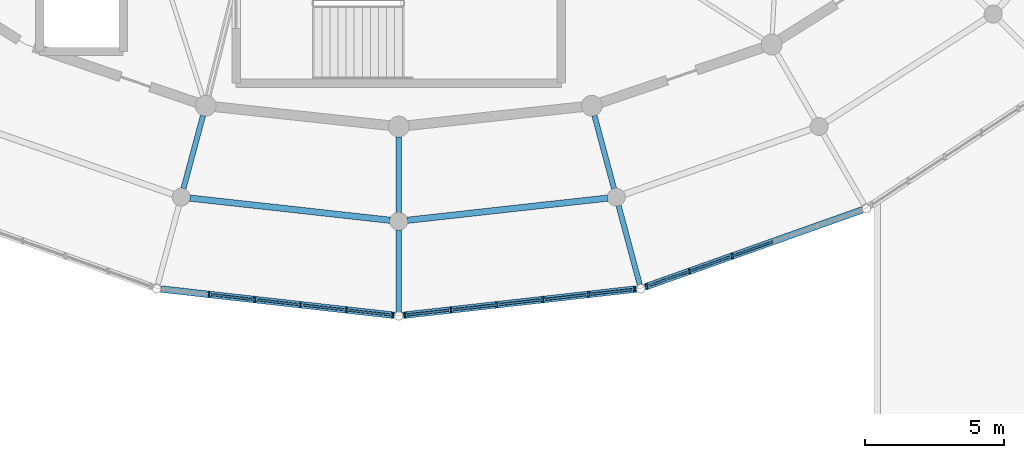
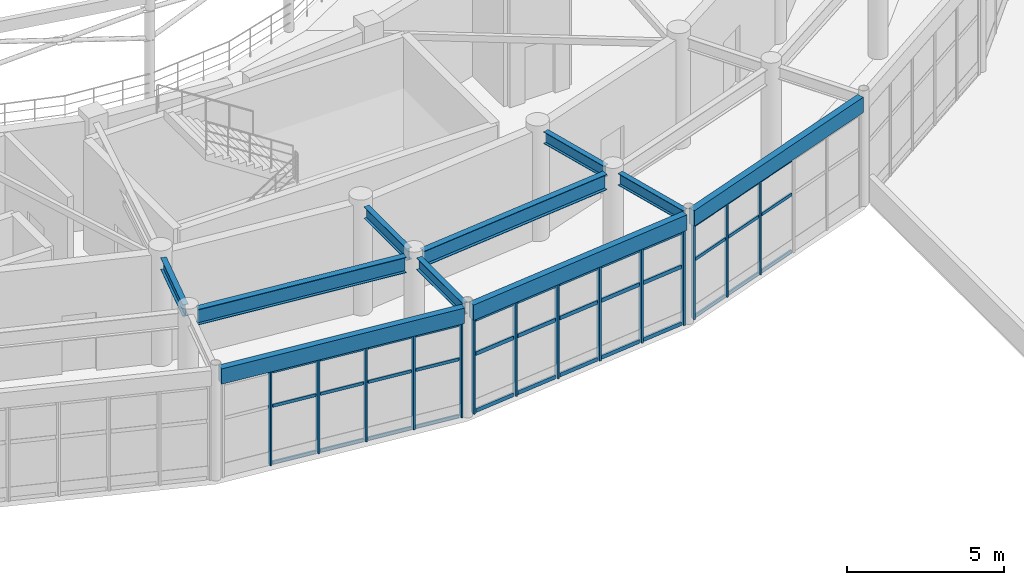
# One storey, part 41 of 112: 50 members, 10 beams, 3 elements without a shape of their own.
"""IFC4 building model written with IfcOpenShell, lengths in metres."""

from ifc_helpers import new_model, si_unit, direction, frame, origin, origin_2d, place, context, subcontext, project, spatial, rectangle, i_section, extrude, material, material_profile, profile_set, type_object, element, aggregate, save


model = new_model("IFC4")

# Units and contexts
model_context = context("Model", 3, precision=1e-05, world=origin(), true_north=direction((0.0, 1.0)))
body_context = subcontext(model_context, "Body", "Model", "MODEL_VIEW")
ifc_project = project(units=[si_unit("LENGTHUNIT", "METRE"), si_unit("AREAUNIT", "SQUARE_METRE"), si_unit("VOLUMEUNIT", "CUBIC_METRE"), si_unit("PLANEANGLEUNIT", "RADIAN"), si_unit("MASSUNIT", "GRAM", prefix="KILO")], contexts=[model_context])

# Site, building, storey
site_placement = place(None, origin())
site = spatial("IfcSite", under=ifc_project, at=site_placement, CompositionType="ELEMENT")
building_placement = place(site_placement, origin())
building = spatial("IfcBuilding", under=site, at=building_placement, Name="Cinderbank Siding Concert Hall", CompositionType="ELEMENT")
storey_placement = place(building_placement, frame((0.0, 0.0, 10.199951171875)))
storey = spatial("IfcBuildingStorey", under=building, at=storey_placement, Name="L03", CompositionType="ELEMENT", Elevation=10.199951171875)

# Beams
ifc_material_1 = material(Name="Structural steel AS/NZS 3679.1 Grade 350 (340 MPa)", Category="steel")
ifc_material_profile_1 = material_profile(ifc_material_1, i_section(OverallWidth=0.19091796875, OverallDepth=0.46044921875, WebThickness=0.010009765625, FlangeThickness=0.01611328125, at=origin_2d()), Name="460UB82.1", Category="LoadBearing")
ifc_profile_set_1 = profile_set([ifc_material_profile_1], Name="Structural steel AS/NZS 3679.1 Grade 350 (340 MPa)")
beam_type_1 = type_object("IfcBeamType", Name="BM-UB460H 460UB82.1", PredefinedType="BEAM", material=ifc_profile_set_1)
beam_1_placement = place(storey_placement, frame((114.968505859375, 22.39501953125, 4.011962890625), z_axis=(-0.258809477387, -0.9659283899, 0.0), x_axis=(0.9659283899, -0.258809477387, 0.0)))
element("IfcBeam", 1, at=beam_1_placement, inside=storey, type_object=beam_type_1, Name="L03 Beam BM-UB460H #620", PredefinedType="BEAM", context=body_context, shape_type="SweptSolid", body=[
    extrude(i_section(OverallWidth=0.19091796875, OverallDepth=0.46044921875, WebThickness=0.010009765625, FlangeThickness=0.01611328125, at=origin_2d()), origin(), (0.0, 0.0, 1.0), 2.7158203125),
])
beam_2_placement = place(storey_placement, frame((122.0, 21.633056640625, 4.011962890625), z_axis=(0.0, -1.0, 0.0), x_axis=(1.0, 0.0, 0.0)))
element("IfcBeam", 2, at=beam_2_placement, inside=storey, type_object=beam_type_1, Name="L03 Beam BM-UB460H #621", PredefinedType="BEAM", context=body_context, shape_type="SweptSolid", body=[
    extrude(i_section(OverallWidth=0.19091796875, OverallDepth=0.46044921875, WebThickness=0.010009765625, FlangeThickness=0.01611328125, at=origin_2d()), origin(), (0.0, 0.0, 1.0), 2.716064453125),
])
beam_3_placement = place(storey_placement, frame((129.031494140625, 22.39501953125, 4.011962890625), z_axis=(0.258809477387, -0.9659283899, 0.0), x_axis=(0.9659283899, 0.258809477387, 0.0)))
element("IfcBeam", 3, at=beam_3_placement, inside=storey, type_object=beam_type_1, Name="L03 Beam BM-UB460H #622", PredefinedType="BEAM", context=body_context, shape_type="SweptSolid", body=[
    extrude(i_section(OverallWidth=0.19091796875, OverallDepth=0.46044921875, WebThickness=0.010009765625, FlangeThickness=0.01611328125, at=origin_2d()), origin(), (0.0, 0.0, 1.0), 2.7158203125),
])
for number, where, z_axis, x_axis, name in (
    (4, (122.0, 18.282958984375, 4.0517578125), (0.0, -1.0, 0.0), (1.0, 0.0, 0.0), "L03 Beam BM-UB460H #646"),
    (5, (129.898193359375, 19.1591796875, 4.0517578125), (0.258897184534, -0.965904885504, 0.0), (0.965904885504, 0.258897184534, 0.0), "L03 Beam BM-UB460H #647"),
):
    element("IfcBeam", number, at=place(storey_placement, frame(where, z_axis=z_axis, x_axis=x_axis)), inside=storey, type_object=beam_type_1, Name=name, PredefinedType="BEAM", context=body_context, shape_type="SweptSolid", body=[
        extrude(i_section(OverallWidth=0.19091796875, OverallDepth=0.46044921875, WebThickness=0.010009765625, FlangeThickness=0.01611328125, at=origin_2d()), origin(), (0.0, 0.0, 1.0), 2.928955078125),
    ])
ifc_material_profile_2 = material_profile(ifc_material_1, i_section(OverallWidth=0.22802734375, OverallDepth=0.60693359375, WebThickness=0.01123046875, FlangeThickness=0.017333984375, at=origin_2d()), Name="610UB113", Category="LoadBearing")
ifc_profile_set_2 = profile_set([ifc_material_profile_2], Name="Structural steel AS/NZS 3679.1 Grade 350 (340 MPa)")
beam_type_2 = type_object("IfcBeamType", Name="BM-UB610M 610UB113", PredefinedType="BEAM", material=ifc_profile_set_2)
for number, where, z_axis, x_axis, name in (
    (6, (114.498779296875, 19.4306640625, 3.9384765625), (0.993926077211, -0.110049775281, 0.0), (0.110049775281, 0.993926077211, 0.0), "L03 Beam BM-UB610M #562"),
    (7, (122.315185546875, 18.635009765625, 3.9384765625), (0.993926077211, 0.110049775281, 0.0), (-0.110049775281, 0.993926077211, 0.0), "L03 Beam BM-UB610M #563"),
):
    element("IfcBeam", number, at=place(storey_placement, frame(where, z_axis=z_axis, x_axis=x_axis)), inside=storey, type_object=beam_type_2, Name=name, PredefinedType="BEAM", context=body_context, shape_type="SweptSolid", body=[
        extrude(i_section(OverallWidth=0.22802734375, OverallDepth=0.60693359375, WebThickness=0.01123046875, FlangeThickness=0.017333984375, at=origin_2d()), origin(), (0.0, 0.0, 1.0), 7.22998046875),
    ])

# Curtain wall, members
ifc_material_2 = material(Name="Anodised aluminium alloy 6063-T6", Category="aluminium")
curtain_wall_type_1 = type_object("IfcCurtainWallType", Name="CW-06 Unitised Acoustic Curtain Wall 7600x3800", PredefinedType="NOTDEFINED", material=ifc_material_2)
curtain_wall_1_placement = place(storey_placement, origin())
curtain_wall_1 = element("IfcCurtainWall", 8, at=curtain_wall_1_placement, inside=storey, type_object=curtain_wall_type_1, Name="L03 Curtain Wall CW-06 #42", PredefinedType="NOTDEFINED")
ifc_material_profile_3 = material_profile(ifc_material_2, rectangle(XDim=0.06005859375, YDim=0.159912109375, at=origin_2d()), Name="ALU-MULL-60x160", Category="LoadBearing")
ifc_profile_set_3 = profile_set([ifc_material_profile_3], Name="Anodised aluminium alloy 6063-T6")
member_type_1 = type_object("IfcMemberType", Name="CW-ML1 Mullion 60x160", PredefinedType="MULLION", material=ifc_profile_set_3)
member_1_placement = place(storey_placement, frame((115.17822265625, 15.9697265625, 0.0), z_axis=(0.0, 0.0, 1.0), x_axis=(1.0, 0.0, 0.0)))
member_1 = element("IfcMember", 9, at=member_1_placement, type_object=member_type_1, Name="CW-L03-042 Mullion 1", PredefinedType="MULLION", context=body_context, shape_type="SweptSolid", body=[
    extrude(rectangle(XDim=0.06005859375, YDim=0.159912109375, at=origin_2d()), origin(), (0.0, 0.0, 1.0), 3.6669921875),
])
member_2_placement = place(storey_placement, frame((116.827392578125, 15.78369140625, 0.0), z_axis=(0.0, 0.0, 1.0), x_axis=(1.0, 0.0, 0.0)))
member_2 = element("IfcMember", 10, at=member_2_placement, type_object=member_type_1, Name="CW-L03-042 Mullion 2", PredefinedType="MULLION", context=body_context, shape_type="SweptSolid", body=[
    extrude(rectangle(XDim=0.06005859375, YDim=0.159912109375, at=origin_2d()), origin(), (0.0, 0.0, 1.0), 3.6669921875),
])
member_3_placement = place(storey_placement, frame((118.476318359375, 15.59765625, 0.0), z_axis=(0.0, 0.0, 1.0), x_axis=(1.0, 0.0, 0.0)))
member_3 = element("IfcMember", 11, at=member_3_placement, type_object=member_type_1, Name="CW-L03-042 Mullion 3", PredefinedType="MULLION", context=body_context, shape_type="SweptSolid", body=[
    extrude(rectangle(XDim=0.06005859375, YDim=0.159912109375, at=origin_2d()), origin(), (0.0, 0.0, 1.0), 3.6669921875),
])
member_4_placement = place(storey_placement, frame((120.12548828125, 15.41162109375, 0.0), z_axis=(0.0, 0.0, 1.0), x_axis=(1.0, 0.0, 0.0)))
member_4 = element("IfcMember", 12, at=member_4_placement, type_object=member_type_1, Name="CW-L03-042 Mullion 4", PredefinedType="MULLION", context=body_context, shape_type="SweptSolid", body=[
    extrude(rectangle(XDim=0.06005859375, YDim=0.159912109375, at=origin_2d()), origin(), (0.0, 0.0, 1.0), 3.6669921875),
])
member_5_placement = place(storey_placement, frame((121.7744140625, 15.225341796875, 0.0), z_axis=(0.0, 0.0, 1.0), x_axis=(1.0, 0.0, 0.0)))
member_5 = element("IfcMember", 13, at=member_5_placement, type_object=member_type_1, Name="CW-L03-042 Mullion 5", PredefinedType="MULLION", context=body_context, shape_type="SweptSolid", body=[
    extrude(rectangle(XDim=0.06005859375, YDim=0.159912109375, at=origin_2d()), origin(), (0.0, 0.0, 1.0), 3.6669921875),
])

curtain_wall_type_2 = type_object("IfcCurtainWallType", Name="CW-08 Unitised Acoustic Curtain Wall 6400x3800", PredefinedType="NOTDEFINED", material=ifc_material_2)
curtain_wall_2_placement = place(storey_placement, origin())
curtain_wall_2 = element("IfcCurtainWall", 14, at=curtain_wall_2_placement, inside=storey, type_object=curtain_wall_type_2, Name="L03 Curtain Wall CW-08 #44", PredefinedType="NOTDEFINED")
member_6_placement = place(storey_placement, frame((130.91015625, 16.257080078125, 0.0), z_axis=(0.0, 0.0, 1.0), x_axis=(1.0, 0.0, 0.0)))
member_6 = element("IfcMember", 15, at=member_6_placement, type_object=member_type_1, Name="CW-L03-044 Mullion 0", PredefinedType="MULLION", context=body_context, shape_type="SweptSolid", body=[
    extrude(rectangle(XDim=0.06005859375, YDim=0.159912109375, at=origin_2d()), origin(), (0.0, 0.0, 1.0), 3.6669921875),
])
member_7_placement = place(storey_placement, frame((132.4453125, 16.80224609375, 0.0), z_axis=(0.0, 0.0, 1.0), x_axis=(1.0, 0.0, 0.0)))
member_7 = element("IfcMember", 16, at=member_7_placement, type_object=member_type_1, Name="CW-L03-044 Mullion 1", PredefinedType="MULLION", context=body_context, shape_type="SweptSolid", body=[
    extrude(rectangle(XDim=0.06005859375, YDim=0.159912109375, at=origin_2d()), origin(), (0.0, 0.0, 1.0), 3.6669921875),
])
member_8_placement = place(storey_placement, frame((133.980712890625, 17.347412109375, 0.0), z_axis=(0.0, 0.0, 1.0), x_axis=(1.0, 0.0, 0.0)))
member_8 = element("IfcMember", 17, at=member_8_placement, type_object=member_type_1, Name="CW-L03-044 Mullion 2", PredefinedType="MULLION", context=body_context, shape_type="SweptSolid", body=[
    extrude(rectangle(XDim=0.06005859375, YDim=0.159912109375, at=origin_2d()), origin(), (0.0, 0.0, 1.0), 3.6669921875),
])

curtain_wall_type_3 = type_object("IfcCurtainWallType", Name="CW-07 Unitised Acoustic Curtain Wall 7000x3800", PredefinedType="NOTDEFINED", material=ifc_material_2)
curtain_wall_3_placement = place(storey_placement, origin())
curtain_wall_3 = element("IfcCurtainWall", 18, at=curtain_wall_3_placement, inside=storey, type_object=curtain_wall_type_3, Name="L03 Curtain Wall CW-07 #43", PredefinedType="NOTDEFINED")
ifc_material_profile_4 = material_profile(ifc_material_2, rectangle(XDim=0.06494140625, YDim=0.199951171875, at=origin_2d()), Name="ALU-MULL-65x200", Category="LoadBearing")
ifc_profile_set_4 = profile_set([ifc_material_profile_4], Name="Anodised aluminium alloy 6063-T6")
member_type_2 = type_object("IfcMemberType", Name="CW-ML2 Mullion 65x200", PredefinedType="MULLION", material=ifc_profile_set_4)
member_9_placement = place(storey_placement, frame((122.2255859375, 15.225341796875, 0.0), z_axis=(0.0, 0.0, 1.0), x_axis=(1.0, 0.0, 0.0)))
member_9 = element("IfcMember", 19, at=member_9_placement, type_object=member_type_2, Name="CW-L03-043 Mullion 0", PredefinedType="MULLION", context=body_context, shape_type="SweptSolid", body=[
    extrude(rectangle(XDim=0.06494140625, YDim=0.199951171875, at=origin_2d()), origin(), (0.0, 0.0, 1.0), 3.6669921875),
])
member_10_placement = place(storey_placement, frame((123.87451171875, 15.41162109375, 0.0), z_axis=(0.0, 0.0, 1.0), x_axis=(1.0, 0.0, 0.0)))
member_10 = element("IfcMember", 20, at=member_10_placement, type_object=member_type_2, Name="CW-L03-043 Mullion 1", PredefinedType="MULLION", context=body_context, shape_type="SweptSolid", body=[
    extrude(rectangle(XDim=0.06494140625, YDim=0.199951171875, at=origin_2d()), origin(), (0.0, 0.0, 1.0), 3.6669921875),
])
member_11_placement = place(storey_placement, frame((125.523681640625, 15.59765625, 0.0), z_axis=(0.0, 0.0, 1.0), x_axis=(1.0, 0.0, 0.0)))
member_11 = element("IfcMember", 21, at=member_11_placement, type_object=member_type_2, Name="CW-L03-043 Mullion 2", PredefinedType="MULLION", context=body_context, shape_type="SweptSolid", body=[
    extrude(rectangle(XDim=0.06494140625, YDim=0.199951171875, at=origin_2d()), origin(), (0.0, 0.0, 1.0), 3.6669921875),
])
member_12_placement = place(storey_placement, frame((127.172607421875, 15.78369140625, 0.0), z_axis=(0.0, 0.0, 1.0), x_axis=(1.0, 0.0, 0.0)))
member_12 = element("IfcMember", 22, at=member_12_placement, type_object=member_type_2, Name="CW-L03-043 Mullion 3", PredefinedType="MULLION", context=body_context, shape_type="SweptSolid", body=[
    extrude(rectangle(XDim=0.06494140625, YDim=0.199951171875, at=origin_2d()), origin(), (0.0, 0.0, 1.0), 3.6669921875),
])
member_13_placement = place(storey_placement, frame((128.82177734375, 15.9697265625, 0.0), z_axis=(0.0, 0.0, 1.0), x_axis=(1.0, 0.0, 0.0)))
member_13 = element("IfcMember", 23, at=member_13_placement, type_object=member_type_2, Name="CW-L03-043 Mullion 4", PredefinedType="MULLION", context=body_context, shape_type="SweptSolid", body=[
    extrude(rectangle(XDim=0.06494140625, YDim=0.199951171875, at=origin_2d()), origin(), (0.0, 0.0, 1.0), 3.6669921875),
])
member_14_placement = place(storey_placement, frame((130.470703125, 16.156005859375, 0.0), z_axis=(0.0, 0.0, 1.0), x_axis=(1.0, 0.0, 0.0)))
member_14 = element("IfcMember", 24, at=member_14_placement, type_object=member_type_2, Name="CW-L03-043 Mullion 5", PredefinedType="MULLION", context=body_context, shape_type="SweptSolid", body=[
    extrude(rectangle(XDim=0.06494140625, YDim=0.199951171875, at=origin_2d()), origin(), (0.0, 0.0, 1.0), 3.6669921875),
])

# Member
ifc_material_profile_5 = material_profile(ifc_material_2, rectangle(XDim=0.06005859375, YDim=0.1201171875, at=origin_2d()), Name="ALU-TRAN-60x120", Category="LoadBearing")
ifc_profile_set_5 = profile_set([ifc_material_profile_5], Name="Anodised aluminium alloy 6063-T6")
member_type_3 = type_object("IfcMemberType", Name="CW-TR1 Transom 60x120", PredefinedType="USERDEFINED", material=ifc_profile_set_5)
member_15_placement = place(storey_placement, frame((115.2607421875, 15.96044921875, 0.06005859375), z_axis=(0.993692895122, -0.112135766747, 0.0), x_axis=(0.112135766747, 0.993692895122, 0.0)))
member_15 = element("IfcMember", 25, at=member_15_placement, type_object=member_type_3, Name="CW-L03-042 Transom 1-0", ObjectType="TRANSOM", PredefinedType="USERDEFINED", context=body_context, shape_type="SweptSolid", body=[
    extrude(rectangle(XDim=0.06005859375, YDim=0.1201171875, at=origin_2d()), origin(), (0.0, 0.0, 1.0), 1.49365234375),
])

member_16_placement = place(storey_placement, frame((115.2607421875, 15.96044921875, 2.2734375), z_axis=(0.993692895122, -0.112135766747, 0.0), x_axis=(0.112135766747, 0.993692895122, 0.0)))
member_16 = element("IfcMember", 26, at=member_16_placement, type_object=member_type_3, Name="CW-L03-042 Transom 1-1", ObjectType="TRANSOM", PredefinedType="USERDEFINED", context=body_context, shape_type="SweptSolid", body=[
    extrude(rectangle(XDim=0.06005859375, YDim=0.1201171875, at=origin_2d()), origin(), (0.0, 0.0, 1.0), 1.49365234375),
])

member_17_placement = place(storey_placement, frame((115.2607421875, 15.96044921875, 3.60693359375), z_axis=(0.993692895122, -0.112135766747, 0.0), x_axis=(0.112135766747, 0.993692895122, 0.0)))
member_17 = element("IfcMember", 27, at=member_17_placement, type_object=member_type_3, Name="CW-L03-042 Transom 1-2", ObjectType="TRANSOM", PredefinedType="USERDEFINED", context=body_context, shape_type="SweptSolid", body=[
    extrude(rectangle(XDim=0.06005859375, YDim=0.1201171875, at=origin_2d()), origin(), (0.0, 0.0, 1.0), 1.49365234375),
])

member_18_placement = place(storey_placement, frame((116.909912109375, 15.7744140625, 0.06005859375), z_axis=(0.993690839164, -0.112153984151, 0.0), x_axis=(0.112153984151, 0.993690839164, 0.0)))
member_18 = element("IfcMember", 28, at=member_18_placement, type_object=member_type_3, Name="CW-L03-042 Transom 2-0", ObjectType="TRANSOM", PredefinedType="USERDEFINED", context=body_context, shape_type="SweptSolid", body=[
    extrude(rectangle(XDim=0.06005859375, YDim=0.1201171875, at=origin_2d()), origin(), (0.0, 0.0, 1.0), 1.493408203125),
])

member_19_placement = place(storey_placement, frame((116.909912109375, 15.7744140625, 2.2734375), z_axis=(0.993690839164, -0.112153984151, 0.0), x_axis=(0.112153984151, 0.993690839164, 0.0)))
member_19 = element("IfcMember", 29, at=member_19_placement, type_object=member_type_3, Name="CW-L03-042 Transom 2-1", ObjectType="TRANSOM", PredefinedType="USERDEFINED", context=body_context, shape_type="SweptSolid", body=[
    extrude(rectangle(XDim=0.06005859375, YDim=0.1201171875, at=origin_2d()), origin(), (0.0, 0.0, 1.0), 1.493408203125),
])

member_20_placement = place(storey_placement, frame((116.909912109375, 15.7744140625, 3.60693359375), z_axis=(0.993690839164, -0.112153984151, 0.0), x_axis=(0.112153984151, 0.993690839164, 0.0)))
member_20 = element("IfcMember", 30, at=member_20_placement, type_object=member_type_3, Name="CW-L03-042 Transom 2-2", ObjectType="TRANSOM", PredefinedType="USERDEFINED", context=body_context, shape_type="SweptSolid", body=[
    extrude(rectangle(XDim=0.06005859375, YDim=0.1201171875, at=origin_2d()), origin(), (0.0, 0.0, 1.0), 1.493408203125),
])

member_21_placement = place(storey_placement, frame((118.558837890625, 15.58837890625, 0.06005859375), z_axis=(0.993692895122, -0.112135766747, 0.0), x_axis=(0.112135766747, 0.993692895122, 0.0)))
member_21 = element("IfcMember", 31, at=member_21_placement, type_object=member_type_3, Name="CW-L03-042 Transom 3-0", ObjectType="TRANSOM", PredefinedType="USERDEFINED", context=body_context, shape_type="SweptSolid", body=[
    extrude(rectangle(XDim=0.06005859375, YDim=0.1201171875, at=origin_2d()), origin(), (0.0, 0.0, 1.0), 1.49365234375),
])

member_22_placement = place(storey_placement, frame((118.558837890625, 15.58837890625, 2.2734375), z_axis=(0.993692895122, -0.112135766747, 0.0), x_axis=(0.112135766747, 0.993692895122, 0.0)))
member_22 = element("IfcMember", 32, at=member_22_placement, type_object=member_type_3, Name="CW-L03-042 Transom 3-1", ObjectType="TRANSOM", PredefinedType="USERDEFINED", context=body_context, shape_type="SweptSolid", body=[
    extrude(rectangle(XDim=0.06005859375, YDim=0.1201171875, at=origin_2d()), origin(), (0.0, 0.0, 1.0), 1.49365234375),
])

member_23_placement = place(storey_placement, frame((118.558837890625, 15.58837890625, 3.60693359375), z_axis=(0.993692895122, -0.112135766747, 0.0), x_axis=(0.112135766747, 0.993692895122, 0.0)))
member_23 = element("IfcMember", 33, at=member_23_placement, type_object=member_type_3, Name="CW-L03-042 Transom 3-2", ObjectType="TRANSOM", PredefinedType="USERDEFINED", context=body_context, shape_type="SweptSolid", body=[
    extrude(rectangle(XDim=0.06005859375, YDim=0.1201171875, at=origin_2d()), origin(), (0.0, 0.0, 1.0), 1.49365234375),
])

member_24_placement = place(storey_placement, frame((120.2080078125, 15.402099609375, 0.06005859375), z_axis=(0.993709046729, -0.111992546398, 0.0), x_axis=(0.111992546398, 0.993709046729, 0.0)))
member_24 = element("IfcMember", 34, at=member_24_placement, type_object=member_type_3, Name="CW-L03-042 Transom 4-0", ObjectType="TRANSOM", PredefinedType="USERDEFINED", context=body_context, shape_type="SweptSolid", body=[
    extrude(rectangle(XDim=0.06005859375, YDim=0.1201171875, at=origin_2d()), origin(), (0.0, 0.0, 1.0), 1.4931640625),
])

member_25_placement = place(storey_placement, frame((120.2080078125, 15.402099609375, 2.2734375), z_axis=(0.993709046729, -0.111992546398, 0.0), x_axis=(0.111992546398, 0.993709046729, 0.0)))
member_25 = element("IfcMember", 35, at=member_25_placement, type_object=member_type_3, Name="CW-L03-042 Transom 4-1", ObjectType="TRANSOM", PredefinedType="USERDEFINED", context=body_context, shape_type="SweptSolid", body=[
    extrude(rectangle(XDim=0.06005859375, YDim=0.1201171875, at=origin_2d()), origin(), (0.0, 0.0, 1.0), 1.4931640625),
])

member_26_placement = place(storey_placement, frame((120.2080078125, 15.402099609375, 3.60693359375), z_axis=(0.993709046729, -0.111992546398, 0.0), x_axis=(0.111992546398, 0.993709046729, 0.0)))
member_26 = element("IfcMember", 36, at=member_26_placement, type_object=member_type_3, Name="CW-L03-042 Transom 4-2", ObjectType="TRANSOM", PredefinedType="USERDEFINED", context=body_context, shape_type="SweptSolid", body=[
    extrude(rectangle(XDim=0.06005859375, YDim=0.1201171875, at=origin_2d()), origin(), (0.0, 0.0, 1.0), 1.4931640625),
])

aggregate(curtain_wall_1, [member_1, member_2, member_3, member_4, member_5, member_15, member_16, member_17, member_18, member_19, member_20, member_21, member_22, member_23, member_24, member_25, member_26])

member_27_placement = place(storey_placement, frame((130.98681640625, 16.284423828125, 0.06005859375), z_axis=(0.942395579657, 0.334500480482, 0.0), x_axis=(-0.334500480482, 0.942395579657, 0.0)))
member_27 = element("IfcMember", 37, at=member_27_placement, type_object=member_type_3, Name="CW-L03-044 Transom 0-0", ObjectType="TRANSOM", PredefinedType="USERDEFINED", context=body_context, shape_type="SweptSolid", body=[
    extrude(rectangle(XDim=0.06005859375, YDim=0.1201171875, at=origin_2d()), origin(), (0.0, 0.0, 1.0), 1.46630859375),
])

member_28_placement = place(storey_placement, frame((130.98681640625, 16.284423828125, 2.2734375), z_axis=(0.942395579657, 0.334500480482, 0.0), x_axis=(-0.334500480482, 0.942395579657, 0.0)))
member_28 = element("IfcMember", 38, at=member_28_placement, type_object=member_type_3, Name="CW-L03-044 Transom 0-1", ObjectType="TRANSOM", PredefinedType="USERDEFINED", context=body_context, shape_type="SweptSolid", body=[
    extrude(rectangle(XDim=0.06005859375, YDim=0.1201171875, at=origin_2d()), origin(), (0.0, 0.0, 1.0), 1.46630859375),
])

member_29_placement = place(storey_placement, frame((130.98681640625, 16.284423828125, 3.60693359375), z_axis=(0.942395579657, 0.334500480482, 0.0), x_axis=(-0.334500480482, 0.942395579657, 0.0)))
member_29 = element("IfcMember", 39, at=member_29_placement, type_object=member_type_3, Name="CW-L03-044 Transom 0-2", ObjectType="TRANSOM", PredefinedType="USERDEFINED", context=body_context, shape_type="SweptSolid", body=[
    extrude(rectangle(XDim=0.06005859375, YDim=0.1201171875, at=origin_2d()), origin(), (0.0, 0.0, 1.0), 1.46630859375),
])

member_30_placement = place(storey_placement, frame((132.522216796875, 16.82958984375, 0.06005859375), z_axis=(0.942376945381, 0.334552974602, 0.0), x_axis=(-0.334552974602, 0.942376945381, 0.0)))
member_30 = element("IfcMember", 40, at=member_30_placement, type_object=member_type_3, Name="CW-L03-044 Transom 1-0", ObjectType="TRANSOM", PredefinedType="USERDEFINED", context=body_context, shape_type="SweptSolid", body=[
    extrude(rectangle(XDim=0.06005859375, YDim=0.1201171875, at=origin_2d()), origin(), (0.0, 0.0, 1.0), 1.466064453125),
])

member_31_placement = place(storey_placement, frame((132.522216796875, 16.82958984375, 2.2734375), z_axis=(0.942376945381, 0.334552974602, 0.0), x_axis=(-0.334552974602, 0.942376945381, 0.0)))
member_31 = element("IfcMember", 41, at=member_31_placement, type_object=member_type_3, Name="CW-L03-044 Transom 1-1", ObjectType="TRANSOM", PredefinedType="USERDEFINED", context=body_context, shape_type="SweptSolid", body=[
    extrude(rectangle(XDim=0.06005859375, YDim=0.1201171875, at=origin_2d()), origin(), (0.0, 0.0, 1.0), 1.466064453125),
])

member_32_placement = place(storey_placement, frame((132.522216796875, 16.82958984375, 3.60693359375), z_axis=(0.942376945381, 0.334552974602, 0.0), x_axis=(-0.334552974602, 0.942376945381, 0.0)))
member_32 = element("IfcMember", 42, at=member_32_placement, type_object=member_type_3, Name="CW-L03-044 Transom 1-2", ObjectType="TRANSOM", PredefinedType="USERDEFINED", context=body_context, shape_type="SweptSolid", body=[
    extrude(rectangle(XDim=0.06005859375, YDim=0.1201171875, at=origin_2d()), origin(), (0.0, 0.0, 1.0), 1.466064453125),
])

member_33_placement = place(storey_placement, frame((134.057373046875, 17.37451171875, 0.06005859375), z_axis=(0.942324434865, 0.334700850694, 0.0), x_axis=(-0.334700850694, 0.942324434865, 0.0)))
member_33 = element("IfcMember", 43, at=member_33_placement, type_object=member_type_3, Name="CW-L03-044 Transom 2-0", ObjectType="TRANSOM", PredefinedType="USERDEFINED", context=body_context, shape_type="SweptSolid", body=[
    extrude(rectangle(XDim=0.06005859375, YDim=0.1201171875, at=origin_2d()), origin(), (0.0, 0.0, 1.0), 1.466064453125),
])

member_34_placement = place(storey_placement, frame((134.057373046875, 17.37451171875, 2.2734375), z_axis=(0.942324434865, 0.334700850694, 0.0), x_axis=(-0.334700850694, 0.942324434865, 0.0)))
member_34 = element("IfcMember", 44, at=member_34_placement, type_object=member_type_3, Name="CW-L03-044 Transom 2-1", ObjectType="TRANSOM", PredefinedType="USERDEFINED", context=body_context, shape_type="SweptSolid", body=[
    extrude(rectangle(XDim=0.06005859375, YDim=0.1201171875, at=origin_2d()), origin(), (0.0, 0.0, 1.0), 1.466064453125),
])

member_35_placement = place(storey_placement, frame((134.057373046875, 17.37451171875, 3.60693359375), z_axis=(0.942324434865, 0.334700850694, 0.0), x_axis=(-0.334700850694, 0.942324434865, 0.0)))
member_35 = element("IfcMember", 45, at=member_35_placement, type_object=member_type_3, Name="CW-L03-044 Transom 2-2", ObjectType="TRANSOM", PredefinedType="USERDEFINED", context=body_context, shape_type="SweptSolid", body=[
    extrude(rectangle(XDim=0.06005859375, YDim=0.1201171875, at=origin_2d()), origin(), (0.0, 0.0, 1.0), 1.466064453125),
])

aggregate(curtain_wall_2, [member_6, member_7, member_8, member_27, member_28, member_29, member_30, member_31, member_32, member_33, member_34, member_35])

ifc_material_profile_6 = material_profile(ifc_material_2, rectangle(XDim=0.06494140625, YDim=0.14990234375, at=origin_2d()), Name="ALU-TRAN-65x150", Category="LoadBearing")
ifc_profile_set_6 = profile_set([ifc_material_profile_6], Name="Anodised aluminium alloy 6063-T6")
member_type_4 = type_object("IfcMemberType", Name="CW-TR2 Transom 65x150", PredefinedType="USERDEFINED", material=ifc_profile_set_6)
member_36_placement = place(storey_placement, frame((122.30810546875, 15.23486328125, 0.06005859375), z_axis=(0.993709046729, 0.111992546398, 0.0), x_axis=(-0.111992546398, 0.993709046729, 0.0)))
member_36 = element("IfcMember", 46, at=member_36_placement, type_object=member_type_4, Name="CW-L03-043 Transom 0-0", ObjectType="TRANSOM", PredefinedType="USERDEFINED", context=body_context, shape_type="SweptSolid", body=[
    extrude(rectangle(XDim=0.06494140625, YDim=0.14990234375, at=origin_2d()), origin(), (0.0, 0.0, 1.0), 1.4931640625),
])

member_37_placement = place(storey_placement, frame((122.30810546875, 15.23486328125, 2.2734375), z_axis=(0.993709046729, 0.111992546398, 0.0), x_axis=(-0.111992546398, 0.993709046729, 0.0)))
member_37 = element("IfcMember", 47, at=member_37_placement, type_object=member_type_4, Name="CW-L03-043 Transom 0-1", ObjectType="TRANSOM", PredefinedType="USERDEFINED", context=body_context, shape_type="SweptSolid", body=[
    extrude(rectangle(XDim=0.06494140625, YDim=0.14990234375, at=origin_2d()), origin(), (0.0, 0.0, 1.0), 1.4931640625),
])

member_38_placement = place(storey_placement, frame((122.30810546875, 15.23486328125, 3.60693359375), z_axis=(0.993709046729, 0.111992546398, 0.0), x_axis=(-0.111992546398, 0.993709046729, 0.0)))
member_38 = element("IfcMember", 48, at=member_38_placement, type_object=member_type_4, Name="CW-L03-043 Transom 0-2", ObjectType="TRANSOM", PredefinedType="USERDEFINED", context=body_context, shape_type="SweptSolid", body=[
    extrude(rectangle(XDim=0.06494140625, YDim=0.14990234375, at=origin_2d()), origin(), (0.0, 0.0, 1.0), 1.4931640625),
])

member_39_placement = place(storey_placement, frame((123.95703125, 15.4208984375, 0.06005859375), z_axis=(0.993692895122, 0.112135766747, 0.0), x_axis=(-0.112135766747, 0.993692895122, 0.0)))
member_39 = element("IfcMember", 49, at=member_39_placement, type_object=member_type_4, Name="CW-L03-043 Transom 1-0", ObjectType="TRANSOM", PredefinedType="USERDEFINED", context=body_context, shape_type="SweptSolid", body=[
    extrude(rectangle(XDim=0.06494140625, YDim=0.14990234375, at=origin_2d()), origin(), (0.0, 0.0, 1.0), 1.49365234375),
])

member_40_placement = place(storey_placement, frame((123.95703125, 15.4208984375, 2.2734375), z_axis=(0.993692895122, 0.112135766747, 0.0), x_axis=(-0.112135766747, 0.993692895122, 0.0)))
member_40 = element("IfcMember", 50, at=member_40_placement, type_object=member_type_4, Name="CW-L03-043 Transom 1-1", ObjectType="TRANSOM", PredefinedType="USERDEFINED", context=body_context, shape_type="SweptSolid", body=[
    extrude(rectangle(XDim=0.06494140625, YDim=0.14990234375, at=origin_2d()), origin(), (0.0, 0.0, 1.0), 1.49365234375),
])

member_41_placement = place(storey_placement, frame((123.95703125, 15.4208984375, 3.60693359375), z_axis=(0.993692895122, 0.112135766747, 0.0), x_axis=(-0.112135766747, 0.993692895122, 0.0)))
member_41 = element("IfcMember", 51, at=member_41_placement, type_object=member_type_4, Name="CW-L03-043 Transom 1-2", ObjectType="TRANSOM", PredefinedType="USERDEFINED", context=body_context, shape_type="SweptSolid", body=[
    extrude(rectangle(XDim=0.06494140625, YDim=0.14990234375, at=origin_2d()), origin(), (0.0, 0.0, 1.0), 1.49365234375),
])

member_42_placement = place(storey_placement, frame((125.606201171875, 15.60693359375, 0.06005859375), z_axis=(0.993690839164, 0.112153984151, 0.0), x_axis=(-0.112153984151, 0.993690839164, 0.0)))
member_42 = element("IfcMember", 52, at=member_42_placement, type_object=member_type_4, Name="CW-L03-043 Transom 2-0", ObjectType="TRANSOM", PredefinedType="USERDEFINED", context=body_context, shape_type="SweptSolid", body=[
    extrude(rectangle(XDim=0.06494140625, YDim=0.14990234375, at=origin_2d()), origin(), (0.0, 0.0, 1.0), 1.493408203125),
])

member_43_placement = place(storey_placement, frame((125.606201171875, 15.60693359375, 2.2734375), z_axis=(0.993690839164, 0.112153984151, 0.0), x_axis=(-0.112153984151, 0.993690839164, 0.0)))
member_43 = element("IfcMember", 53, at=member_43_placement, type_object=member_type_4, Name="CW-L03-043 Transom 2-1", ObjectType="TRANSOM", PredefinedType="USERDEFINED", context=body_context, shape_type="SweptSolid", body=[
    extrude(rectangle(XDim=0.06494140625, YDim=0.14990234375, at=origin_2d()), origin(), (0.0, 0.0, 1.0), 1.493408203125),
])

member_44_placement = place(storey_placement, frame((125.606201171875, 15.60693359375, 3.60693359375), z_axis=(0.993690839164, 0.112153984151, 0.0), x_axis=(-0.112153984151, 0.993690839164, 0.0)))
member_44 = element("IfcMember", 54, at=member_44_placement, type_object=member_type_4, Name="CW-L03-043 Transom 2-2", ObjectType="TRANSOM", PredefinedType="USERDEFINED", context=body_context, shape_type="SweptSolid", body=[
    extrude(rectangle(XDim=0.06494140625, YDim=0.14990234375, at=origin_2d()), origin(), (0.0, 0.0, 1.0), 1.493408203125),
])

member_45_placement = place(storey_placement, frame((127.255126953125, 15.79296875, 0.06005859375), z_axis=(0.993692895122, 0.112135766747, 0.0), x_axis=(-0.112135766747, 0.993692895122, 0.0)))
member_45 = element("IfcMember", 55, at=member_45_placement, type_object=member_type_4, Name="CW-L03-043 Transom 3-0", ObjectType="TRANSOM", PredefinedType="USERDEFINED", context=body_context, shape_type="SweptSolid", body=[
    extrude(rectangle(XDim=0.06494140625, YDim=0.14990234375, at=origin_2d()), origin(), (0.0, 0.0, 1.0), 1.49365234375),
])

member_46_placement = place(storey_placement, frame((127.255126953125, 15.79296875, 2.2734375), z_axis=(0.993692895122, 0.112135766747, 0.0), x_axis=(-0.112135766747, 0.993692895122, 0.0)))
member_46 = element("IfcMember", 56, at=member_46_placement, type_object=member_type_4, Name="CW-L03-043 Transom 3-1", ObjectType="TRANSOM", PredefinedType="USERDEFINED", context=body_context, shape_type="SweptSolid", body=[
    extrude(rectangle(XDim=0.06494140625, YDim=0.14990234375, at=origin_2d()), origin(), (0.0, 0.0, 1.0), 1.49365234375),
])

member_47_placement = place(storey_placement, frame((127.255126953125, 15.79296875, 3.60693359375), z_axis=(0.993692895122, 0.112135766747, 0.0), x_axis=(-0.112135766747, 0.993692895122, 0.0)))
member_47 = element("IfcMember", 57, at=member_47_placement, type_object=member_type_4, Name="CW-L03-043 Transom 3-2", ObjectType="TRANSOM", PredefinedType="USERDEFINED", context=body_context, shape_type="SweptSolid", body=[
    extrude(rectangle(XDim=0.06494140625, YDim=0.14990234375, at=origin_2d()), origin(), (0.0, 0.0, 1.0), 1.49365234375),
])

member_48_placement = place(storey_placement, frame((128.904296875, 15.97900390625, 0.06005859375), z_axis=(0.993690839164, 0.112153984151, 0.0), x_axis=(-0.112153984151, 0.993690839164, 0.0)))
member_48 = element("IfcMember", 58, at=member_48_placement, type_object=member_type_4, Name="CW-L03-043 Transom 4-0", ObjectType="TRANSOM", PredefinedType="USERDEFINED", context=body_context, shape_type="SweptSolid", body=[
    extrude(rectangle(XDim=0.06494140625, YDim=0.14990234375, at=origin_2d()), origin(), (0.0, 0.0, 1.0), 1.493408203125),
])

member_49_placement = place(storey_placement, frame((128.904296875, 15.97900390625, 2.2734375), z_axis=(0.993690839164, 0.112153984151, 0.0), x_axis=(-0.112153984151, 0.993690839164, 0.0)))
member_49 = element("IfcMember", 59, at=member_49_placement, type_object=member_type_4, Name="CW-L03-043 Transom 4-1", ObjectType="TRANSOM", PredefinedType="USERDEFINED", context=body_context, shape_type="SweptSolid", body=[
    extrude(rectangle(XDim=0.06494140625, YDim=0.14990234375, at=origin_2d()), origin(), (0.0, 0.0, 1.0), 1.493408203125),
])

member_50_placement = place(storey_placement, frame((128.904296875, 15.97900390625, 3.60693359375), z_axis=(0.993690839164, 0.112153984151, 0.0), x_axis=(-0.112153984151, 0.993690839164, 0.0)))
member_50 = element("IfcMember", 60, at=member_50_placement, type_object=member_type_4, Name="CW-L03-043 Transom 4-2", ObjectType="TRANSOM", PredefinedType="USERDEFINED", context=body_context, shape_type="SweptSolid", body=[
    extrude(rectangle(XDim=0.06494140625, YDim=0.14990234375, at=origin_2d()), origin(), (0.0, 0.0, 1.0), 1.493408203125),
])

aggregate(curtain_wall_3, [member_9, member_10, member_11, member_12, member_13, member_14, member_36, member_37, member_38, member_39, member_40, member_41, member_42, member_43, member_44, member_45, member_46, member_47, member_48, member_49, member_50])

# Beams
ifc_material_3 = material(Name="Spotted gum glulam timber GL18 (42 MPa)", Category="wood")
ifc_material_profile_7 = material_profile(ifc_material_3, rectangle(XDim=0.239990234375, YDim=0.60009765625, at=origin_2d()), Name="GL18-240x600", Category="LoadBearing")
ifc_profile_set_7 = profile_set([ifc_material_profile_7], Name="Spotted gum glulam timber GL18 (42 MPa)")
beam_type_3 = type_object("IfcBeamType", Name="SP-GL600 GL18-240x600", PredefinedType="SPANDREL", material=ifc_profile_set_7)
for number, where, z_axis, x_axis, name in (
    (61, (113.456787109375, 16.1640625, 3.98193359375), (0.993693273547, -0.112132413281, 0.0), (0.112132413281, 0.993693273547, 0.0), "L03 Beam SP-GL600 #586"),
    (62, (122.153076171875, 15.21728515625, 3.98193359375), (0.993693273547, 0.112132413281, 0.0), (-0.112132413281, 0.993693273547, 0.0), "L03 Beam SP-GL600 #587"),
):
    element("IfcBeam", number, at=place(storey_placement, frame(where, z_axis=z_axis, x_axis=x_axis)), inside=storey, type_object=beam_type_3, Name=name, PredefinedType="SPANDREL", context=body_context, shape_type="SweptSolid", body=[
        extrude(rectangle(XDim=0.239990234375, YDim=0.60009765625, at=origin_2d()), origin(), (0.0, 0.0, 1.0), 8.443359375),
    ])
beam_4_placement = place(storey_placement, frame((130.84130859375, 16.23291015625, 3.98193359375), z_axis=(0.942365164676, 0.334586156924, 0.0), x_axis=(-0.334586156924, 0.942365164676, 0.0)))
element("IfcBeam", 63, at=beam_4_placement, inside=storey, type_object=beam_type_3, Name="L03 Beam SP-GL600 #588", PredefinedType="SPANDREL", context=body_context, shape_type="SweptSolid", body=[
    extrude(rectangle(XDim=0.239990234375, YDim=0.60009765625, at=origin_2d()), origin(), (0.0, 0.0, 1.0), 8.291259765625),
])

save(model, "model.ifc")
